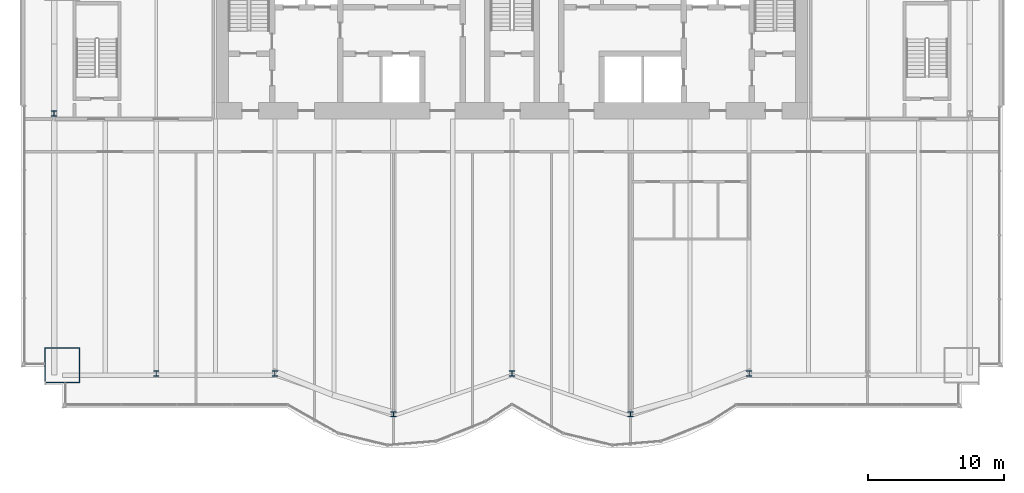
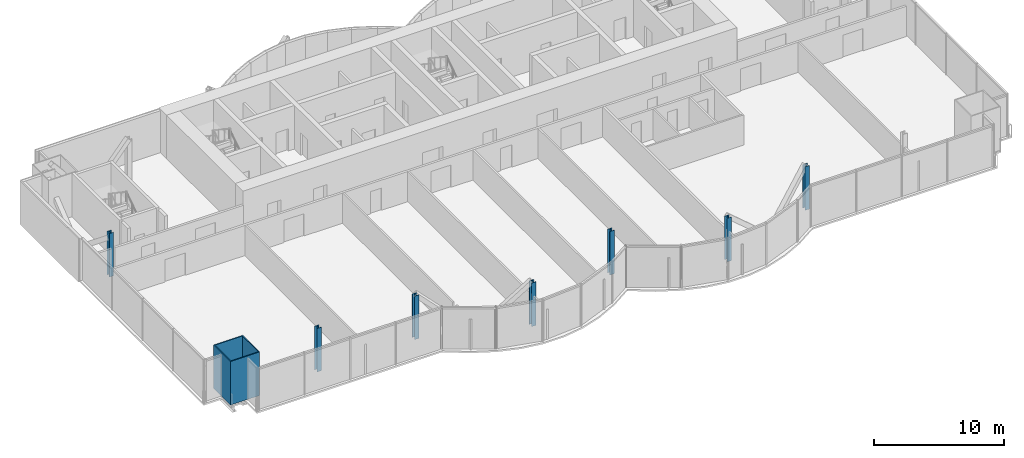
# One storey, part 1 of 21: 8 columns.
"""IFC4 building model written with IfcOpenShell, lengths in metres."""

from ifc_helpers import new_model, si_unit, direction, frame, origin, origin_2d, place, context, subcontext, project, spatial, hollow_rectangle, i_section, extrude, material, material_profile, profile_set, type_object, element, save


model = new_model("IFC4")

# Units and contexts
model_context = context("Model", 3, precision=1e-05, world=origin(), true_north=direction((0.0, 1.0)))
body_context = subcontext(model_context, "Body", "Model", "MODEL_VIEW")
ifc_project = project(units=[si_unit("LENGTHUNIT", "METRE"), si_unit("AREAUNIT", "SQUARE_METRE"), si_unit("VOLUMEUNIT", "CUBIC_METRE"), si_unit("PLANEANGLEUNIT", "RADIAN"), si_unit("MASSUNIT", "GRAM", prefix="KILO")], contexts=[model_context])

# Site, building, storey
site_placement = place(None, origin())
site = spatial("IfcSite", under=ifc_project, at=site_placement, CompositionType="ELEMENT")
building_placement = place(site_placement, origin())
building = spatial("IfcBuilding", under=site, at=building_placement, Name="Bicima Exchange Tower", CompositionType="ELEMENT")
storey_placement = place(building_placement, frame((0.0, 0.0, 173.199951171875)))
storey = spatial("IfcBuildingStorey", under=building, at=storey_placement, Name="L38", CompositionType="ELEMENT", Elevation=173.199951171875)

# Columns
ifc_material_1 = material(Name="Steel ASTM A572 Gr 50", Category="steel")
ifc_material_profile_1 = material_profile(ifc_material_1, hollow_rectangle(XDim=2.60009765625, YDim=2.60009765625, WallThickness=0.080078125, at=origin_2d()))
ifc_profile_set_1 = profile_set([ifc_material_profile_1], Name="Steel ASTM A572 Gr 50")
column_type_1 = type_object("IfcColumnType", Name="Mega column BOX 2600x2600x80", PredefinedType="COLUMN", material=ifc_profile_set_1)
column_placement = place(storey_placement, frame((-33.0, -31.070068359375, 0.0), z_axis=(0.0, 0.0, 1.0), x_axis=(1.0, 0.0, 0.0)))
element("IfcColumn", 1, at=column_placement, inside=storey, type_object=column_type_1, Name="Mega column mega-33.0f", PredefinedType="COLUMN", context=body_context, shape_type="SweptSolid", body=[
    extrude(hollow_rectangle(XDim=2.60009765625, YDim=2.60009765625, WallThickness=0.080078125, at=origin_2d()), origin(), (0.0, 0.0, 1.0), 4.10009765625),
])
ifc_material_2 = material(Name="Steel ASTM A992 Gr 50", Category="steel")
ifc_material_profile_2 = material_profile(ifc_material_2, i_section(OverallWidth=0.396240234375, OverallDepth=0.381103515625, WebThickness=0.01904296875, FlangeThickness=0.0302734375, at=origin_2d()))
ifc_profile_set_2 = profile_set([ifc_material_profile_2], Name="Steel ASTM A992 Gr 50")
column_type_2 = type_object("IfcColumnType", Name="Perimeter column W14x159", PredefinedType="COLUMN", material=ifc_profile_set_2)
for number, where, z_axis, x_axis, name in (
    (2, (-26.10009765625, -31.669921875, 0.0), (0.0, 0.0, 1.0), (1.0, 0.0, 0.0), "Perimeter column grav-26.1f"),
    (3, (-17.39990234375, -31.669921875, 0.0), (0.0, 0.0, 1.0), (1.0, 0.0, 0.0), "Perimeter column grav-17.4f"),
    (4, (-8.699951171875, -34.6611328125, 0.0), (0.0, 0.0, 1.0), (1.0, 0.0, 0.0), "Perimeter column grav-8.7f"),
    (5, (0.0, -31.669921875, 0.0), (0.0, 0.0, 1.0), (1.0, 0.0, 0.0), "Perimeter column grav-0.0f"),
    (6, (8.699951171875, -34.6611328125, 0.0), (0.0, 0.0, 1.0), (1.0, 0.0, 0.0), "Perimeter column grav+8.7f"),
    (7, (17.39990234375, -31.669921875, 0.0), (0.0, 0.0, 1.0), (1.0, 0.0, 0.0), "Perimeter column grav+17.4f"),
    (8, (-33.60009765625, -12.60009765625, 0.0), (0.0, 0.0, 1.0), (1.0, 0.0, 0.0), "End column end-33.6e"),
):
    element("IfcColumn", number, at=place(storey_placement, frame(where, z_axis=z_axis, x_axis=x_axis)), inside=storey, type_object=column_type_2, Name=name, PredefinedType="COLUMN", context=body_context, shape_type="SweptSolid", body=[
        extrude(i_section(OverallWidth=0.396240234375, OverallDepth=0.381103515625, WebThickness=0.01904296875, FlangeThickness=0.0302734375, at=origin_2d()), origin(), (0.0, 0.0, 1.0), 4.10009765625),
    ])

save(model, "model.ifc")
